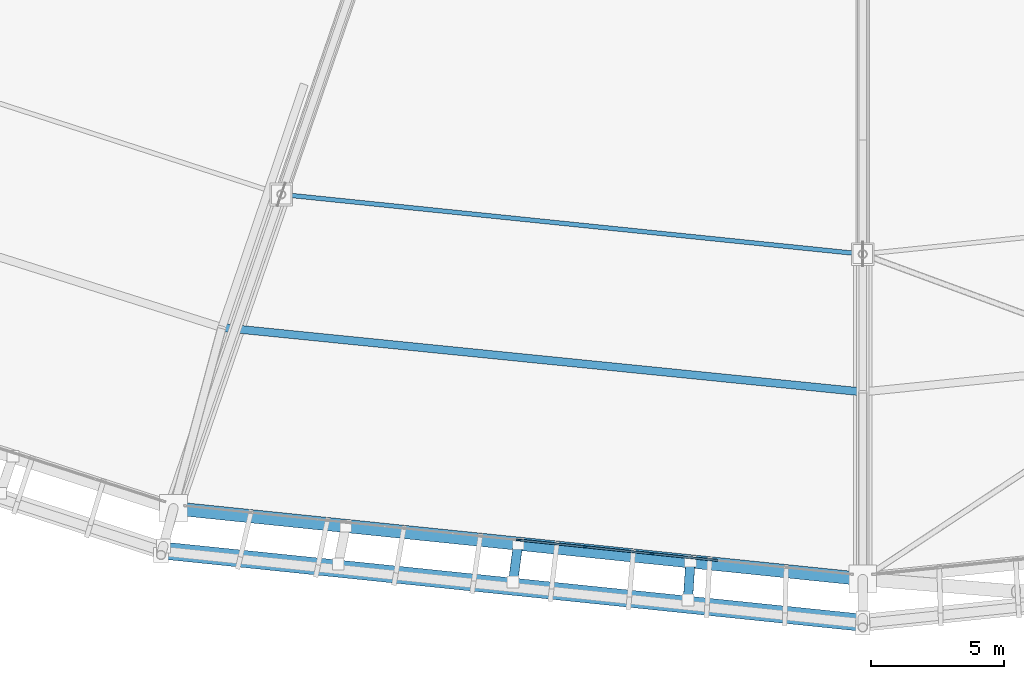
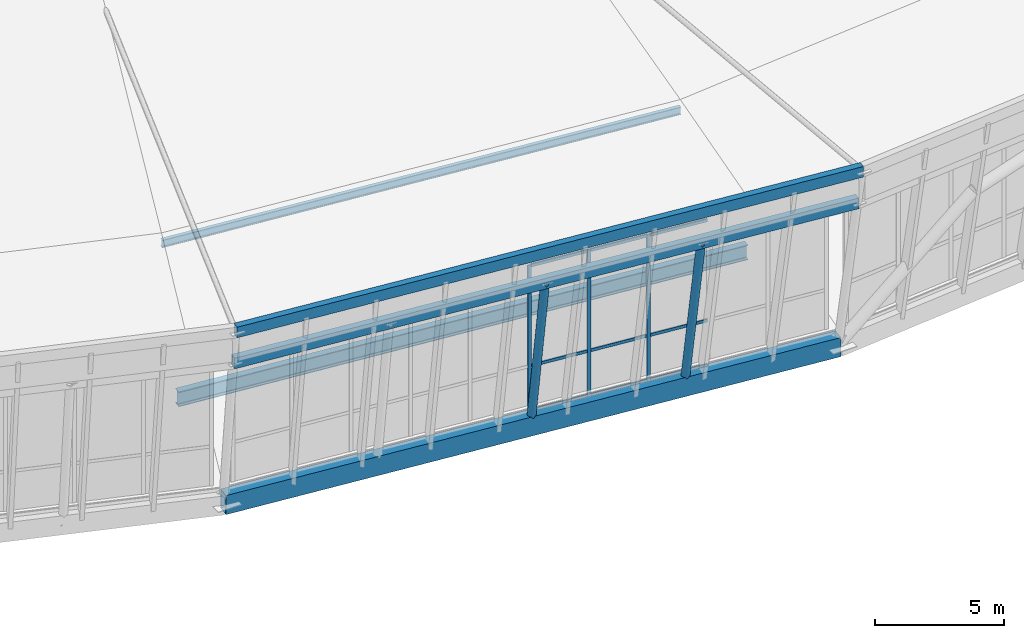
# One storey, part 14 of 115: 15 members, 4 beams, 1 element without a shape of its own.
"""IFC4 building model written with IfcOpenShell, lengths in metres."""

from ifc_helpers import new_model, si_unit, direction, frame, origin, origin_2d, place, context, subcontext, project, spatial, rectangle, hollow_rectangle, hollow_circle, i_section, extrude, material, material_profile, profile_set, type_object, element, aggregate, save


model = new_model("IFC4")

# Units and contexts
model_context = context("Model", 3, precision=1e-05, world=origin(), true_north=direction((0.0, 1.0)))
body_context = subcontext(model_context, "Body", "Model", "MODEL_VIEW")
ifc_project = project(units=[si_unit("LENGTHUNIT", "METRE"), si_unit("AREAUNIT", "SQUARE_METRE"), si_unit("VOLUMEUNIT", "CUBIC_METRE"), si_unit("PLANEANGLEUNIT", "RADIAN"), si_unit("MASSUNIT", "GRAM", prefix="KILO")], contexts=[model_context])

# Site, building, storey
site_placement = place(None, origin())
site = spatial("IfcSite", under=ifc_project, at=site_placement, CompositionType="ELEMENT")
building_placement = place(site_placement, origin())
building = spatial("IfcBuilding", under=site, at=building_placement, Name="Zlatoyarsky Gate Stadium", CompositionType="ELEMENT")
storey_placement = place(building_placement, frame((0.0, 0.0, 31.800048828125)))
storey = spatial("IfcBuildingStorey", under=building, at=storey_placement, Name="RF", CompositionType="ELEMENT", Elevation=31.800048828125)

# Curtain wall, members
ifc_material_1 = material(Name="Thermally broken anodised aluminium curtain wall", Category="aluminium")
curtain_wall_type = type_object("IfcCurtainWallType", Name="UNITISED SKYBOX RING GLAZING L05", PredefinedType="USERDEFINED", material=ifc_material_1)
curtain_wall_placement = place(storey_placement, origin())
curtain_wall = element("IfcCurtainWall", 1, at=curtain_wall_placement, inside=storey, type_object=curtain_wall_type, Name="Curtain wall CW-RF-17", ObjectType="UNITISED GLAZING", PredefinedType="USERDEFINED")
ifc_material_2 = material(Name="Anodised aluminium 6063-T6", Category="aluminium")
ifc_material_profile_1 = material_profile(ifc_material_2, rectangle(XDim=0.06494140625, YDim=0.159912109375, at=origin_2d()), Name="ALU 65X160")
ifc_profile_set_1 = profile_set([ifc_material_profile_1], Name="Anodised aluminium 6063-T6")
member_type_1 = type_object("IfcMemberType", Name="ALUMINIUM MULLION 65X160", PredefinedType="MULLION", material=ifc_profile_set_1)
member_1_placement = place(storey_placement, frame((98.073486328125, 3.439453125, 0.0), z_axis=(0.0, 0.0, 1.0), x_axis=(0.102125168703, 0.994771556649, 0.0)))
member_1 = element("IfcMember", 2, at=member_1_placement, type_object=member_type_1, Name="CW-UG5 mullion 6", PredefinedType="MULLION", context=body_context, shape_type="SweptSolid", body=[
    extrude(rectangle(XDim=0.06494140625, YDim=0.159912109375, at=origin_2d()), origin(), (0.0, 0.0, 1.0), 6.89990234375),
])
member_2_placement = place(storey_placement, frame((100.579345703125, 3.18212890625, 0.0), z_axis=(0.0, 0.0, 1.0), x_axis=(0.102125168703, 0.994771556649, 0.0)))
member_2 = element("IfcMember", 3, at=member_2_placement, type_object=member_type_1, Name="CW-UG5 mullion 7", PredefinedType="MULLION", context=body_context, shape_type="SweptSolid", body=[
    extrude(rectangle(XDim=0.06494140625, YDim=0.159912109375, at=origin_2d()), origin(), (0.0, 0.0, 1.0), 6.89990234375),
])
member_3_placement = place(storey_placement, frame((103.0849609375, 2.9248046875, 0.0), z_axis=(0.0, 0.0, 1.0), x_axis=(0.102125168703, 0.994771556649, 0.0)))
member_3 = element("IfcMember", 4, at=member_3_placement, type_object=member_type_1, Name="CW-UG5 mullion 8", PredefinedType="MULLION", context=body_context, shape_type="SweptSolid", body=[
    extrude(rectangle(XDim=0.06494140625, YDim=0.159912109375, at=origin_2d()), origin(), (0.0, 0.0, 1.0), 6.89990234375),
])
ifc_material_profile_2 = material_profile(ifc_material_2, rectangle(XDim=0.06494140625, YDim=0.139892578125, at=origin_2d()), Name="ALU 65X140")
ifc_profile_set_2 = profile_set([ifc_material_profile_2], Name="Anodised aluminium 6063-T6")
member_type_2 = type_object("IfcMemberType", Name="ALUMINIUM TRANSOM 65X140", PredefinedType="USERDEFINED", material=ifc_profile_set_2)
member_4_placement = place(storey_placement, frame((98.10595703125, 3.43603515625, 0.032470703125), z_axis=(0.994775740393, -0.102084407846, 0.0), x_axis=(0.102084407846, 0.994775740393, 0.0)))
member_4 = element("IfcMember", 5, at=member_4_placement, type_object=member_type_2, Name="CW-UG5 transom 6.1", ObjectType="TRANSOM", PredefinedType="USERDEFINED", context=body_context, shape_type="SweptSolid", body=[
    extrude(rectangle(XDim=0.06494140625, YDim=0.139892578125, at=origin_2d()), origin(), (0.0, 0.0, 1.0), 2.453857421875),
])
member_5_placement = place(storey_placement, frame((98.10595703125, 3.43603515625, 2.14990234375), z_axis=(0.994775740393, -0.102084407846, 0.0), x_axis=(0.102084407846, 0.994775740393, 0.0)))
member_5 = element("IfcMember", 6, at=member_5_placement, type_object=member_type_2, Name="CW-UG5 transom 6.2", ObjectType="TRANSOM", PredefinedType="USERDEFINED", context=body_context, shape_type="SweptSolid", body=[
    extrude(rectangle(XDim=0.06494140625, YDim=0.139892578125, at=origin_2d()), origin(), (0.0, 0.0, 1.0), 2.453857421875),
])
member_6_placement = place(storey_placement, frame((98.10595703125, 3.43603515625, 6.867431640625), z_axis=(0.994775740393, -0.102084407846, 0.0), x_axis=(0.102084407846, 0.994775740393, 0.0)))
member_6 = element("IfcMember", 7, at=member_6_placement, type_object=member_type_2, Name="CW-UG5 transom 6.3", ObjectType="TRANSOM", PredefinedType="USERDEFINED", context=body_context, shape_type="SweptSolid", body=[
    extrude(rectangle(XDim=0.06494140625, YDim=0.139892578125, at=origin_2d()), origin(), (0.0, 0.0, 1.0), 2.453857421875),
])
member_7_placement = place(storey_placement, frame((100.611572265625, 3.178955078125, 0.032470703125), z_axis=(0.994766670268, -0.102172754312, 0.0), x_axis=(0.102172754312, 0.994766670268, 0.0)))
member_7 = element("IfcMember", 8, at=member_7_placement, type_object=member_type_2, Name="CW-UG5 transom 7.1", ObjectType="TRANSOM", PredefinedType="USERDEFINED", context=body_context, shape_type="SweptSolid", body=[
    extrude(rectangle(XDim=0.06494140625, YDim=0.139892578125, at=origin_2d()), origin(), (0.0, 0.0, 1.0), 2.4541015625),
])
member_8_placement = place(storey_placement, frame((100.611572265625, 3.178955078125, 2.14990234375), z_axis=(0.994766670268, -0.102172754312, 0.0), x_axis=(0.102172754312, 0.994766670268, 0.0)))
member_8 = element("IfcMember", 9, at=member_8_placement, type_object=member_type_2, Name="CW-UG5 transom 7.2", ObjectType="TRANSOM", PredefinedType="USERDEFINED", context=body_context, shape_type="SweptSolid", body=[
    extrude(rectangle(XDim=0.06494140625, YDim=0.139892578125, at=origin_2d()), origin(), (0.0, 0.0, 1.0), 2.4541015625),
])
member_9_placement = place(storey_placement, frame((100.611572265625, 3.178955078125, 6.867431640625), z_axis=(0.994766670268, -0.102172754312, 0.0), x_axis=(0.102172754312, 0.994766670268, 0.0)))
member_9 = element("IfcMember", 10, at=member_9_placement, type_object=member_type_2, Name="CW-UG5 transom 7.3", ObjectType="TRANSOM", PredefinedType="USERDEFINED", context=body_context, shape_type="SweptSolid", body=[
    extrude(rectangle(XDim=0.06494140625, YDim=0.139892578125, at=origin_2d()), origin(), (0.0, 0.0, 1.0), 2.4541015625),
])
member_10_placement = place(storey_placement, frame((103.117431640625, 2.921630859375, 0.032470703125), z_axis=(0.994765631546, -0.102182866933, 0.0), x_axis=(0.102182866933, 0.994765631546, 0.0)))
member_10 = element("IfcMember", 11, at=member_10_placement, type_object=member_type_2, Name="CW-UG5 transom 8.1", ObjectType="TRANSOM", PredefinedType="USERDEFINED", context=body_context, shape_type="SweptSolid", body=[
    extrude(rectangle(XDim=0.06494140625, YDim=0.139892578125, at=origin_2d()), origin(), (0.0, 0.0, 1.0), 2.453857421875),
])
member_11_placement = place(storey_placement, frame((103.117431640625, 2.921630859375, 2.14990234375), z_axis=(0.994765631546, -0.102182866933, 0.0), x_axis=(0.102182866933, 0.994765631546, 0.0)))
member_11 = element("IfcMember", 12, at=member_11_placement, type_object=member_type_2, Name="CW-UG5 transom 8.2", ObjectType="TRANSOM", PredefinedType="USERDEFINED", context=body_context, shape_type="SweptSolid", body=[
    extrude(rectangle(XDim=0.06494140625, YDim=0.139892578125, at=origin_2d()), origin(), (0.0, 0.0, 1.0), 2.453857421875),
])
member_12_placement = place(storey_placement, frame((103.117431640625, 2.921630859375, 6.867431640625), z_axis=(0.994765631546, -0.102182866933, 0.0), x_axis=(0.102182866933, 0.994765631546, 0.0)))
member_12 = element("IfcMember", 13, at=member_12_placement, type_object=member_type_2, Name="CW-UG5 transom 8.3", ObjectType="TRANSOM", PredefinedType="USERDEFINED", context=body_context, shape_type="SweptSolid", body=[
    extrude(rectangle(XDim=0.06494140625, YDim=0.139892578125, at=origin_2d()), origin(), (0.0, 0.0, 1.0), 2.453857421875),
])
aggregate(curtain_wall, [member_1, member_2, member_3, member_4, member_5, member_6, member_7, member_8, member_9, member_10, member_11, member_12])

# Members
ifc_material_3 = material(Name="Steel S355", Category="steel")
ifc_material_profile_3 = material_profile(ifc_material_3, hollow_circle(Radius=0.177734375, WallThickness=0.02001953125, at=origin_2d()), Name="CHS 355.6X20")
ifc_profile_set_3 = profile_set([ifc_material_profile_3], Name="Steel S355")
member_type_3 = type_object("IfcMemberType", Name="STEEL LEANING RIB RING STRUT CHS 355.6X20", PredefinedType="STRUT", material=ifc_profile_set_3)
member_13_placement = place(storey_placement, frame((98.055419921875, 3.3017578125, -0.449951171875), z_axis=(-0.024546908275, -0.186436607967, 0.982160292673), x_axis=(0.991443441463, -0.130536977062, 0.0)))
element("IfcMember", 14, at=member_13_placement, inside=storey, type_object=member_type_3, Name="Outward-leaning bowl louvre fin rib RF 17-2", PredefinedType="STRUT", context=body_context, shape_type="SweptSolid", body=[
    extrude(hollow_circle(Radius=0.177734375, WallThickness=0.02001953125, at=origin_2d()), origin(), (0.0, 0.0, 1.0), 7.73779296875),
])
member_14_placement = place(storey_placement, frame((104.527587890625, 2.63720703125, -0.449951171875), z_axis=(-0.012240912799, -0.188062064931, 0.982080862143), x_axis=(0.997888369576, -0.064952304545, 0.0)))
element("IfcMember", 15, at=member_14_placement, inside=storey, type_object=member_type_3, Name="Outward-leaning bowl louvre fin rib RF 17-3", PredefinedType="STRUT", context=body_context, shape_type="SweptSolid", body=[
    extrude(hollow_circle(Radius=0.177734375, WallThickness=0.02001953125, at=origin_2d()), origin(), (0.0, 0.0, 1.0), 7.738525390625),
])
ifc_material_profile_4 = material_profile(ifc_material_3, i_section(OverallWidth=0.169921875, OverallDepth=0.360107421875, WebThickness=0.008056640625, FlangeThickness=0.0126953125, FilletRadius=0.01806640625, at=origin_2d()), Name="IPE 360")
ifc_profile_set_4 = profile_set([ifc_material_profile_4], Name="Steel S355")
member_type_4 = type_object("IfcMemberType", Name="STEEL LONG SPAN PURLIN IPE 360", PredefinedType="PURLIN", material=ifc_profile_set_4)
member_15_placement = place(storey_placement, frame((89.159912109375, 16.418701171875, 3.179931640625), z_axis=(0.994769103035, -0.102149065814, 0.0), x_axis=(0.102149065814, 0.994769103035, 0.0)))
element("IfcMember", 16, at=member_15_placement, inside=storey, type_object=member_type_4, Name="Stadium roof purlin 17.1", PredefinedType="PURLIN", context=body_context, shape_type="SweptSolid", body=[
    extrude(i_section(OverallWidth=0.169921875, OverallDepth=0.360107421875, WebThickness=0.008056640625, FlangeThickness=0.0126953125, FilletRadius=0.01806640625, at=origin_2d()), origin(), (0.0, 0.0, 1.0), 21.954833984375),
])

# Beams
ifc_material_profile_5 = material_profile(ifc_material_3, hollow_rectangle(XDim=0.300048828125, YDim=0.5, WallThickness=0.02001953125, at=origin_2d()), Name="RHS 500X300X20")
ifc_profile_set_5 = profile_set([ifc_material_profile_5], Name="Steel S355")
beam_type_1 = type_object("IfcBeamType", Name="STEEL LOUVRE CARRIER SPANDREL RHS 500X300X20", PredefinedType="SPANDREL", material=ifc_profile_set_5)
beam_1_placement = place(storey_placement, frame((84.731201171875, 3.21337890625, 7.14990234375), z_axis=(0.994725543927, -0.102572375716, 0.0), x_axis=(0.102572375716, 0.994725543927, 0.0)))
element("IfcBeam", 17, at=beam_1_placement, inside=storey, type_object=beam_type_1, Name="Crown eaves fascia bottom carrier spandrel 17", PredefinedType="SPANDREL", context=body_context, shape_type="SweptSolid", body=[
    extrude(hollow_rectangle(XDim=0.300048828125, YDim=0.5, WallThickness=0.02001953125, at=origin_2d()), origin(), (0.0, 0.0, 1.0), 26.408203125),
])
beam_2_placement = place(storey_placement, frame((84.640869140625, 2.87646484375, 8.849853515625), z_axis=(0.994715342527, -0.102671258599, 0.0), x_axis=(0.102671258599, 0.994715342527, 0.0)))
element("IfcBeam", 18, at=beam_2_placement, inside=storey, type_object=beam_type_1, Name="Crown fascia top carrier spandrel 17", PredefinedType="SPANDREL", context=body_context, shape_type="SweptSolid", body=[
    extrude(hollow_rectangle(XDim=0.300048828125, YDim=0.5, WallThickness=0.02001953125, at=origin_2d()), origin(), (0.0, 0.0, 1.0), 26.499267578125),
])
ifc_material_profile_6 = material_profile(ifc_material_3, hollow_rectangle(XDim=0.5, YDim=0.89990234375, WallThickness=0.028076171875, at=origin_2d()), Name="RHS 900X500X28")
ifc_profile_set_6 = profile_set([ifc_material_profile_6], Name="Steel S355")
beam_type_2 = type_object("IfcBeamType", Name="STEEL OUTER COMPRESSION RING BEAM RHS 900X500X28", PredefinedType="USERDEFINED", material=ifc_profile_set_6)
beam_3_placement = place(storey_placement, frame((85.11083984375, 4.631103515625, -0.449951171875), z_axis=(0.994768198126, -0.102157877799, 0.0), x_axis=(0.102157877799, 0.994768198126, 0.0)))
element("IfcBeam", 19, at=beam_3_placement, inside=storey, type_object=beam_type_2, Name="Outer compression ring beam 17", ObjectType="RING BEAM", PredefinedType="USERDEFINED", context=body_context, shape_type="SweptSolid", body=[
    extrude(hollow_rectangle(XDim=0.5, YDim=0.89990234375, WallThickness=0.028076171875, at=origin_2d()), origin(), (0.0, 0.0, 1.0), 26.025390625),
])
ifc_material_profile_7 = material_profile(ifc_material_3, i_section(OverallWidth=0.300048828125, OverallDepth=0.699951171875, WebThickness=0.01708984375, FlangeThickness=0.031982421875, FilletRadius=0.027099609375, at=origin_2d()), Name="HEB 700")
ifc_profile_set_7 = profile_set([ifc_material_profile_7], Name="Steel S355")
beam_type_3 = type_object("IfcBeamType", Name="STEEL ROOF RING GIRDER HEB 700", PredefinedType="BEAM", material=ifc_profile_set_7)
beam_4_placement = place(storey_placement, frame((86.969482421875, 11.415283203125, -0.300048828125), z_axis=(0.994986534974, -0.100008975698, 0.0), x_axis=(0.100008975698, 0.994986534974, 0.0)))
element("IfcBeam", 20, at=beam_4_placement, inside=storey, type_object=beam_type_3, Name="RF roof tie girder BM-RF-CRC-17", PredefinedType="BEAM", context=body_context, shape_type="SweptSolid", body=[
    extrude(i_section(OverallWidth=0.300048828125, OverallDepth=0.699951171875, WebThickness=0.01708984375, FlangeThickness=0.031982421875, FilletRadius=0.027099609375, at=origin_2d()), origin(), (0.0, 0.0, 1.0), 24.111572265625),
])

save(model, "model.ifc")
